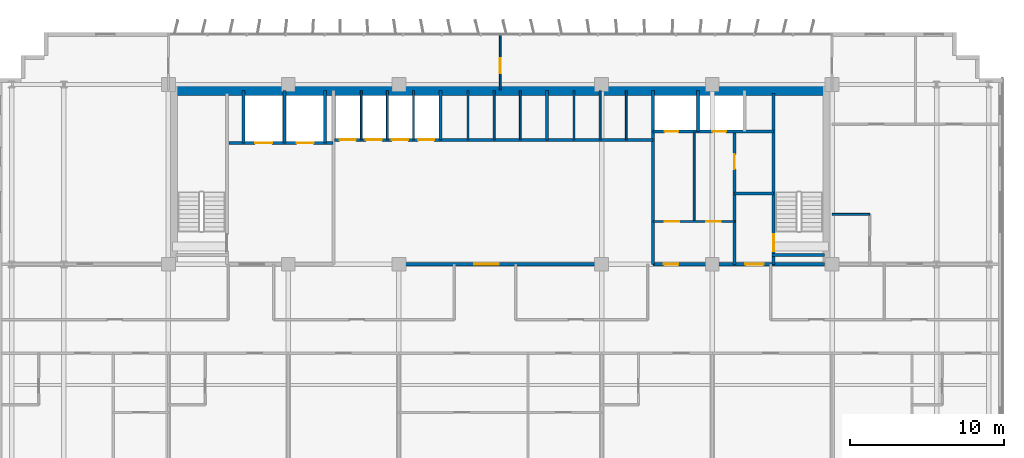
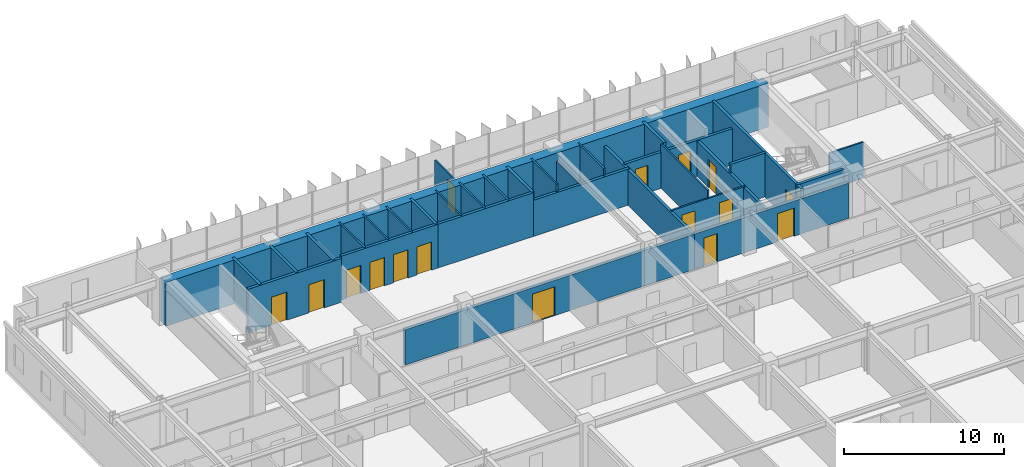
# One storey, part 18 of 22: 32 walls, 16 doors, 16 openings.
"""IFC4 building model written with IfcOpenShell, lengths in metres."""

from ifc_helpers import new_model, si_unit, direction, frame, frame_2d, origin, place, context, subcontext, project, spatial, rectangle, extrude, source, transform, mapped, material, layer, layer_set, type_object, element, fill, save


model = new_model("IFC4")

# Units and contexts
model_context = context("Model", 3, precision=1e-05, world=origin(), true_north=direction((0.0, 1.0)))
body_context = subcontext(model_context, "Body", "Model", "MODEL_VIEW")
ifc_project = project(units=[si_unit("LENGTHUNIT", "METRE"), si_unit("AREAUNIT", "SQUARE_METRE"), si_unit("VOLUMEUNIT", "CUBIC_METRE"), si_unit("PLANEANGLEUNIT", "RADIAN"), si_unit("MASSUNIT", "GRAM", prefix="KILO")], contexts=[model_context])

# Site, building, storey
site_placement = place(None, origin())
site = spatial("IfcSite", under=ifc_project, at=site_placement, CompositionType="ELEMENT")
building_placement = place(site_placement, origin())
building = spatial("IfcBuilding", under=site, at=building_placement, Name="Trelvane Seafront Commons", CompositionType="ELEMENT")
storey_placement = place(building_placement, frame((0.0, 0.0, 48.699951171875)))
storey = spatial("IfcBuildingStorey", under=building, at=storey_placement, Name="L12", CompositionType="ELEMENT", Elevation=48.699951171875)

# Wall, opening, door
ifc_material_1 = material(Name="Concrete C40/50", Category="concrete")
ifc_layer_1 = layer(ifc_material_1, 0.199951171875, Name="ARCH-WALL-FIRE200")
ifc_layer_set_1 = layer_set([ifc_layer_1], Name="Concrete C40/50")
wall_type_1 = type_object("IfcWallType", Name="ARCH-WALL-FIRE200", PredefinedType="PARTITIONING", material=ifc_layer_set_1)
wall_1_placement = place(storey_placement, frame((52.449951171875, 33.39990234375, 0.0), z_axis=(0.0, 0.0, 1.0), x_axis=(0.0, 1.0, 0.0)))
wall_1 = element("IfcWall", 1, at=wall_1_placement, inside=storey, type_object=wall_type_1, Name="W-L12-ST2V-W-033", PredefinedType="PARTITIONING", context=body_context, shape_type="SweptSolid", body=[
    extrude(rectangle(XDim=8.650146484375, YDim=0.199951171875, at=frame_2d((4.3251953125, 0.0))), origin(), (0.0, 0.0, 1.0), 2.68994140625),
])
opening_1_placement = place(wall_1_placement, frame((6.199951171875, 0.0, 0.0)))
opening_1 = element("IfcOpeningElement", 2, at=opening_1_placement, cuts=wall_1, Name="Opening FD-L12-13", PredefinedType="OPENING", context=body_context, shape_type="SweptSolid", body=[
    extrude(rectangle(XDim=0.949951171875, YDim=2.14990234375, at=frame_2d((0.47509765625, 1.074951171875))), frame((0.0, 0.10986328125, 0.0), z_axis=(0.0, -1.0, 0.0), x_axis=(1.0, 0.0, 0.0)), (0.0, 0.0, 1.0), 0.219970703125),
])
ifc_material_2 = material(Name="Powder-coated aluminium frame", Category="aluminium")
door_type_1 = type_object("IfcDoorType", Name="ARCH-DR-FD60-950", OperationType="NOTDEFINED", PredefinedType="DOOR", material=ifc_material_2)
shared_shape_1 = source(origin(), body_context, "Body", "SweptSolid", [
    extrude(rectangle(XDim=0.949951171875, YDim=2.14990234375, at=frame_2d((0.47509765625, 1.074951171875))), frame((0.0, 0.02490234375, 0.0), z_axis=(0.0, -1.0, 0.0), x_axis=(1.0, 0.0, 0.0)), (0.0, 0.0, 1.0), 0.050048828125),
])
door_1_placement = place(opening_1_placement, origin())
door_1 = element("IfcDoor", 3, at=door_1_placement, inside=storey, type_object=door_type_1, Name="L12 Cleaner Store Door", OperationType="SINGLE_SWING_LEFT", OverallHeight=2.14990234375, OverallWidth=0.949951171875, PredefinedType="DOOR", context=body_context, shape_type="MappedRepresentation", body=[
    mapped(shared_shape_1, transform((0.0, 0.0, 0.0), x_axis=(1.0, 0.0, 0.0), y_axis=(0.0, 1.0, 0.0), z_axis=(0.0, 0.0, 1.0), scale=1.0)),
])
fill(opening_1, door_1)

# Wall
wall_2_placement = place(storey_placement, frame((52.449951171875, 38.0, 0.0), z_axis=(0.0, 0.0, 1.0), x_axis=(1.0, 0.0, 0.0)))
element("IfcWall", 4, at=wall_2_placement, inside=storey, type_object=wall_type_1, Name="W-L12-ST2V-N-034", PredefinedType="PARTITIONING", context=body_context, shape_type="SweptSolid", body=[
    extrude(rectangle(XDim=2.550048828125, YDim=0.199951171875, at=frame_2d((1.27490234375, 0.0))), origin(), (0.0, 0.0, 1.0), 3.340087890625),
])

# Wall, opening, door
ifc_layer_2 = layer(ifc_material_1, 0.25, Name="ARCH-WALL-FIRE250")
ifc_layer_set_2 = layer_set([ifc_layer_2], Name="Concrete C40/50")
wall_type_2 = type_object("IfcWallType", Name="ARCH-WALL-FIRE250", PredefinedType="PARTITIONING", material=ifc_layer_set_2)
wall_3_placement = place(storey_placement, frame((26.300048828125, 33.39990234375, 0.0), z_axis=(0.0, 0.0, 1.0), x_axis=(1.0, 0.0, 0.0)))
wall_3 = element("IfcWall", 5, at=wall_3_placement, inside=storey, type_object=wall_type_2, Name="W-L12-CS-PAX-029", PredefinedType="PARTITIONING", context=body_context, shape_type="SweptSolid", body=[
    extrude(rectangle(XDim=20.849853515625, YDim=0.25, at=frame_2d((10.4248046875, 0.0))), origin(), (0.0, 0.0, 1.0), 2.68994140625),
])
opening_2_placement = place(wall_3_placement, frame((9.199951171875, 0.0, 0.0)))
opening_2 = element("IfcOpeningElement", 6, at=opening_2_placement, cuts=wall_3, Name="Opening FD-L12-10", PredefinedType="OPENING", context=body_context, shape_type="SweptSolid", body=[
    extrude(rectangle(XDim=1.60009765625, YDim=2.199951171875, at=frame_2d((0.800048828125, 1.10009765625))), frame((0.0, 0.135009765625, 0.0), z_axis=(0.0, -1.0, 0.0), x_axis=(1.0, 0.0, 0.0)), (0.0, 0.0, 1.0), 0.27001953125),
])
door_type_2 = type_object("IfcDoorType", Name="ARCH-DR-FD60-1600", OperationType="DOUBLE_DOOR_SINGLE_SWING", PredefinedType="DOOR", material=ifc_material_2)
shared_shape_2 = source(origin(), body_context, "Body", "SweptSolid", [
    extrude(rectangle(XDim=1.60009765625, YDim=2.199951171875, at=frame_2d((0.800048828125, 1.10009765625))), frame((0.0, 0.02490234375, 0.0), z_axis=(0.0, -1.0, 0.0), x_axis=(1.0, 0.0, 0.0)), (0.0, 0.0, 1.0), 0.050048828125),
])
door_2_placement = place(opening_2_placement, origin())
door_2 = element("IfcDoor", 7, at=door_2_placement, inside=storey, type_object=door_type_2, Name="L12 Passenger Lift Lobby Double Door", OperationType="DOUBLE_DOOR_SINGLE_SWING", OverallHeight=2.199951171875, OverallWidth=1.60009765625, PredefinedType="DOOR", context=body_context, shape_type="MappedRepresentation", body=[
    mapped(shared_shape_2, transform((0.0, 0.0, 0.0), x_axis=(1.0, 0.0, 0.0), y_axis=(0.0, 1.0, 0.0), z_axis=(0.0, 0.0, 1.0), scale=1.0)),
])
fill(opening_2, door_2)

# Wall, openings, doors
wall_4_placement = place(storey_placement, frame((47.14990234375, 33.39990234375, 0.0), z_axis=(0.0, 0.0, 1.0), x_axis=(1.0, 0.0, 0.0)))
wall_4 = element("IfcWall", 8, at=wall_4_placement, inside=storey, type_object=wall_type_2, Name="W-L12-CS-EAST-037", PredefinedType="PARTITIONING", context=body_context, shape_type="SweptSolid", body=[
    extrude(rectangle(XDim=11.150146484375, YDim=0.25, at=frame_2d((5.5751953125, 0.0))), origin(), (0.0, 0.0, 1.0), 2.68994140625),
])
opening_3_placement = place(wall_4_placement, frame((0.699951171875, 0.0, 0.0)))
opening_3 = element("IfcOpeningElement", 9, at=opening_3_placement, cuts=wall_4, Name="Opening FD-L12-16", PredefinedType="OPENING", context=body_context, shape_type="SweptSolid", body=[
    extrude(rectangle(XDim=0.949951171875, YDim=2.14990234375, at=frame_2d((0.47509765625, 1.074951171875))), frame((0.0, 0.135009765625, 0.0), z_axis=(0.0, -1.0, 0.0), x_axis=(1.0, 0.0, 0.0)), (0.0, 0.0, 1.0), 0.27001953125),
])
opening_4_placement = place(wall_4_placement, frame((6.0, 0.0, 0.0)))
opening_4 = element("IfcOpeningElement", 10, at=opening_4_placement, cuts=wall_4, Name="Opening FD-L12-17", PredefinedType="OPENING", context=body_context, shape_type="SweptSolid", body=[
    extrude(rectangle(XDim=1.199951171875, YDim=2.14990234375, at=frame_2d((0.60009765625, 1.074951171875))), frame((0.0, 0.135009765625, 0.0), z_axis=(0.0, -1.0, 0.0), x_axis=(1.0, 0.0, 0.0)), (0.0, 0.0, 1.0), 0.27001953125),
])
door_3_placement = place(opening_3_placement, origin())
door_3 = element("IfcDoor", 11, at=door_3_placement, inside=storey, type_object=door_type_1, Name="L12 Core Service Lobby Door", OperationType="SINGLE_SWING_RIGHT", OverallHeight=2.14990234375, OverallWidth=0.949951171875, PredefinedType="DOOR", context=body_context, shape_type="MappedRepresentation", body=[
    mapped(shared_shape_1, transform((0.0, 0.0, 0.0), x_axis=(1.0, 0.0, 0.0), y_axis=(0.0, 1.0, 0.0), z_axis=(0.0, 0.0, 1.0), scale=1.0)),
])
fill(opening_3, door_3)
door_type_3 = type_object("IfcDoorType", Name="ARCH-DR-FD60-1200", OperationType="NOTDEFINED", PredefinedType="DOOR", material=ifc_material_2)
shared_shape_3 = source(origin(), body_context, "Body", "SweptSolid", [
    extrude(rectangle(XDim=1.199951171875, YDim=2.14990234375, at=frame_2d((0.60009765625, 1.074951171875))), frame((0.0, 0.02490234375, 0.0), z_axis=(0.0, -1.0, 0.0), x_axis=(1.0, 0.0, 0.0)), (0.0, 0.0, 1.0), 0.050048828125),
])
door_4_placement = place(opening_4_placement, origin())
door_4 = element("IfcDoor", 12, at=door_4_placement, inside=storey, type_object=door_type_3, Name="L12 East Stair Vestibule Fire Door", OperationType="SINGLE_SWING_LEFT", OverallHeight=2.14990234375, OverallWidth=1.199951171875, PredefinedType="DOOR", context=body_context, shape_type="MappedRepresentation", body=[
    mapped(shared_shape_3, transform((0.0, 0.0, 0.0), x_axis=(1.0, 0.0, 0.0), y_axis=(0.0, 1.0, 0.0), z_axis=(0.0, 0.0, 1.0), scale=1.0)),
])
fill(opening_4, door_4)

# Walls
ifc_material_3 = material(Name="Gypsum Drywall Acoustic Partition")
ifc_layer_3 = layer(ifc_material_3, 0.1201171875, Name="ARCH-WALL-PART120")
ifc_layer_set_3 = layer_set([ifc_layer_3], Name="Gypsum Drywall Acoustic Partition")
wall_type_3 = type_object("IfcWallType", Name="ARCH-WALL-PART120", PredefinedType="PARTITIONING", material=ifc_layer_set_3)
for number, where, z_axis, x_axis, name in (
    (13, (28.14990234375, 41.5, 0.0), (0.0, 0.0, 1.0), (0.0, 1.0, 0.0), "W-L12-PL-DIV1-016"),
    (14, (29.85009765625, 41.5, 0.0), (0.0, 0.0, 1.0), (0.0, 1.0, 0.0), "W-L12-PL-DIV2-017"),
    (15, (31.550048828125, 41.5, 0.0), (0.0, 0.0, 1.0), (0.0, 1.0, 0.0), "W-L12-PL-DIV3-018"),
    (16, (35.10009765625, 41.5, 0.0), (0.0, 0.0, 1.0), (0.0, 1.0, 0.0), "W-L12-PM-DIV1-020"),
    (17, (36.800048828125, 41.5, 0.0), (0.0, 0.0, 1.0), (0.0, 1.0, 0.0), "W-L12-PM-DIV2-021"),
    (18, (38.5, 41.5, 0.0), (0.0, 0.0, 1.0), (0.0, 1.0, 0.0), "W-L12-PM-DIV3-022"),
    (19, (42.0, 41.5, 0.0), (0.0, 0.0, 1.0), (0.0, 1.0, 0.0), "W-L12-PH-DIV1-025"),
):
    element("IfcWall", number, at=place(storey_placement, frame(where, z_axis=z_axis, x_axis=x_axis)), inside=storey, type_object=wall_type_3, Name=name, PredefinedType="PARTITIONING", context=body_context, shape_type="SweptSolid", body=[
        extrude(rectangle(XDim=3.199951171875, YDim=0.1201171875, at=frame_2d((1.60009765625, 0.0))), origin(), (0.0, 0.0, 1.0), 3.340087890625),
    ])
wall_5_placement = place(storey_placement, frame((43.699951171875, 41.5, 0.0), z_axis=(0.0, 0.0, 1.0), x_axis=(0.0, 1.0, 0.0)))
element("IfcWall", 20, at=wall_5_placement, inside=storey, type_object=wall_type_3, Name="W-L12-PH-DIV2-026", PredefinedType="PARTITIONING", context=body_context, shape_type="SweptSolid", body=[
    extrude(rectangle(XDim=3.199951171875, YDim=0.1201171875, at=frame_2d((1.60009765625, 0.0))), origin(), (0.0, 0.0, 1.0), 2.751953125),
])
wall_6_placement = place(storey_placement, frame((45.39990234375, 41.5, 0.0), z_axis=(0.0, 0.0, 1.0), x_axis=(0.0, 1.0, 0.0)))
element("IfcWall", 21, at=wall_6_placement, inside=storey, type_object=wall_type_3, Name="W-L12-PH-DIV3-027", PredefinedType="PARTITIONING", context=body_context, shape_type="SweptSolid", body=[
    extrude(rectangle(XDim=3.199951171875, YDim=0.1201171875, at=frame_2d((1.60009765625, 0.0))), origin(), (0.0, 0.0, 1.0), 3.340087890625),
])

# Wall, openings, doors
wall_7_placement = place(storey_placement, frame((47.14990234375, 36.179931640625, 0.0), z_axis=(0.0, 0.0, 1.0), x_axis=(1.0, 0.0, 0.0)))
wall_7 = element("IfcWall", 22, at=wall_7_placement, inside=storey, type_object=wall_type_3, Name="W-L12-CYC1-H-035", PredefinedType="PARTITIONING", context=body_context, shape_type="SweptSolid", body=[
    extrude(rectangle(XDim=5.300048828125, YDim=0.1201171875, at=frame_2d((2.64990234375, 0.0))), origin(), (0.0, 0.0, 1.0), 2.751953125),
])
opening_5_placement = place(wall_7_placement, frame((0.75, 0.0, 0.0)))
opening_5 = element("IfcOpeningElement", 23, at=opening_5_placement, cuts=wall_7, Name="Opening D-L12-14", PredefinedType="OPENING", context=body_context, shape_type="SweptSolid", body=[
    extrude(rectangle(XDim=0.949951171875, YDim=2.14990234375, at=frame_2d((0.47509765625, 1.074951171875))), frame((0.0, 0.070068359375, 0.0), z_axis=(0.0, -1.0, 0.0), x_axis=(1.0, 0.0, 0.0)), (0.0, 0.0, 1.0), 0.14013671875),
])
opening_6_placement = place(wall_7_placement, frame((3.449951171875, 0.0, 0.0)))
opening_6 = element("IfcOpeningElement", 24, at=opening_6_placement, cuts=wall_7, Name="Opening D-L12-15", PredefinedType="OPENING", context=body_context, shape_type="SweptSolid", body=[
    extrude(rectangle(XDim=0.949951171875, YDim=2.14990234375, at=frame_2d((0.47509765625, 1.074951171875))), frame((0.0, 0.070068359375, 0.0), z_axis=(0.0, -1.0, 0.0), x_axis=(1.0, 0.0, 0.0)), (0.0, 0.0, 1.0), 0.14013671875),
])
ifc_material_4 = material(Name="Acoustic timber door leaf", Category="wood")
door_type_4 = type_object("IfcDoorType", Name="ARCH-DR-INT950", OperationType="NOTDEFINED", PredefinedType="DOOR", material=ifc_material_4)
door_5_placement = place(opening_5_placement, origin())
door_5 = element("IfcDoor", 25, at=door_5_placement, inside=storey, type_object=door_type_4, Name="L12 Accessible WC Door", OperationType="SINGLE_SWING_RIGHT", OverallHeight=2.14990234375, OverallWidth=0.949951171875, PredefinedType="DOOR", context=body_context, shape_type="MappedRepresentation", body=[
    mapped(shared_shape_1, transform((0.0, 0.0, 0.0), x_axis=(1.0, 0.0, 0.0), y_axis=(0.0, 1.0, 0.0), z_axis=(0.0, 0.0, 1.0), scale=1.0)),
])
fill(opening_5, door_5)
door_6_placement = place(opening_6_placement, origin())
door_6 = element("IfcDoor", 26, at=door_6_placement, inside=storey, type_object=door_type_4, Name="L12 BMS Room Door", OperationType="SINGLE_SWING_LEFT", OverallHeight=2.14990234375, OverallWidth=0.949951171875, PredefinedType="DOOR", context=body_context, shape_type="MappedRepresentation", body=[
    mapped(shared_shape_1, transform((0.0, 0.0, 0.0), x_axis=(1.0, 0.0, 0.0), y_axis=(0.0, 1.0, 0.0), z_axis=(0.0, 0.0, 1.0), scale=1.0)),
])
fill(opening_6, door_6)

# Walls
wall_8_placement = place(storey_placement, frame((49.820068359375, 36.179931640625, 0.0), z_axis=(0.0, 0.0, 1.0), x_axis=(0.0, 1.0, 0.0)))
element("IfcWall", 27, at=wall_8_placement, inside=storey, type_object=wall_type_3, Name="W-L12-CYC1-V-036", PredefinedType="PARTITIONING", context=body_context, shape_type="SweptSolid", body=[
    extrude(rectangle(XDim=5.820068359375, YDim=0.1201171875, at=frame_2d((2.91015625, 0.0))), origin(), (0.0, 0.0, 1.0), 3.340087890625),
])
wall_9_placement = place(storey_placement, frame((58.800048828125, 36.64990234375, 0.0), z_axis=(0.0, 0.0, 1.0), x_axis=(1.0, 0.0, 0.0)))
element("IfcWall", 28, at=wall_9_placement, inside=storey, type_object=wall_type_3, Name="W-L12-NE-BN-051", PredefinedType="PARTITIONING", context=body_context, shape_type="SweptSolid", body=[
    extrude(rectangle(XDim=2.449951171875, YDim=0.1201171875, at=frame_2d((1.22509765625, 0.0))), origin(), (0.0, 0.0, 1.0), 2.751953125),
])

# Wall, opening, door
wall_10_placement = place(storey_placement, frame((37.199951171875, 44.75, 0.0), z_axis=(0.0, 0.0, 1.0), x_axis=(0.0, 1.0, 0.0)))
wall_10 = element("IfcWall", 29, at=wall_10_placement, inside=storey, type_object=wall_type_3, Name="W-L12-N-MID-DV-056", PredefinedType="PARTITIONING", context=body_context, shape_type="SweptSolid", body=[
    extrude(rectangle(XDim=3.610107421875, YDim=0.1201171875, at=frame_2d((1.80517578125, 0.0))), origin(), (0.0, 0.0, 1.0), 2.68994140625),
])
opening_7_placement = place(wall_10_placement, frame((1.10009765625, 0.0, 0.0)))
opening_7 = element("IfcOpeningElement", 30, at=opening_7_placement, cuts=wall_10, Name="Opening D-L12-28", PredefinedType="OPENING", context=body_context, shape_type="SweptSolid", body=[
    extrude(rectangle(XDim=0.949951171875, YDim=2.14990234375, at=frame_2d((0.47509765625, 1.074951171875))), frame((0.0, 0.070068359375, 0.0), z_axis=(0.0, -1.0, 0.0), x_axis=(1.0, 0.0, 0.0)), (0.0, 0.0, 1.0), 0.14013671875),
])
door_7_placement = place(opening_7_placement, origin())
door_7 = element("IfcDoor", 31, at=door_7_placement, inside=storey, type_object=door_type_4, Name="L12 Door 28", OperationType="SINGLE_SWING_RIGHT", OverallHeight=2.14990234375, OverallWidth=0.949951171875, PredefinedType="DOOR", context=body_context, shape_type="MappedRepresentation", body=[
    mapped(shared_shape_1, transform((0.0, 0.0, 0.0), x_axis=(1.0, 0.0, 0.0), y_axis=(0.0, 1.0, 0.0), z_axis=(0.0, 0.0, 1.0), scale=1.0)),
])
fill(opening_7, door_7)

# Wall, openings, doors
ifc_layer_4 = layer(ifc_material_1, 0.199951171875, Name="ARCH-WALL-SHAFT200")
ifc_layer_set_4 = layer_set([ifc_layer_4], Name="Concrete C40/50")
wall_type_4 = type_object("IfcWallType", Name="ARCH-WALL-SHAFT200", PredefinedType="SOLIDWALL", material=ifc_layer_set_4)
wall_11_placement = place(storey_placement, frame((19.550048828125, 41.300048828125, 0.0), z_axis=(0.0, 0.0, 1.0), x_axis=(1.0, 0.0, 0.0)))
wall_11 = element("IfcWall", 32, at=wall_11_placement, inside=storey, type_object=wall_type_4, Name="W-L12-FFL-FRONT-008", PredefinedType="SOLIDWALL", context=body_context, shape_type="SweptSolid", body=[
    extrude(rectangle(XDim=6.75, YDim=0.199951171875, at=frame_2d((3.375, 0.0))), origin(), (0.0, 0.0, 1.0), 3.340087890625),
])
opening_8_placement = place(wall_11_placement, frame((1.699951171875, 0.0, 0.0)))
opening_8 = element("IfcOpeningElement", 33, at=opening_8_placement, cuts=wall_11, Name="Opening LD-FF1-L12", PredefinedType="OPENING", context=body_context, shape_type="SweptSolid", body=[
    extrude(rectangle(XDim=1.10009765625, YDim=2.14990234375, at=frame_2d((0.550048828125, 1.074951171875))), frame((0.0, 0.10986328125, 0.0), z_axis=(0.0, -1.0, 0.0), x_axis=(1.0, 0.0, 0.0)), (0.0, 0.0, 1.0), 0.219970703125),
])
opening_9_placement = place(wall_11_placement, frame((4.39990234375, 0.0, 0.0)))
opening_9 = element("IfcOpeningElement", 34, at=opening_9_placement, cuts=wall_11, Name="Opening LD-FF2-L12", PredefinedType="OPENING", context=body_context, shape_type="SweptSolid", body=[
    extrude(rectangle(XDim=1.10009765625, YDim=2.14990234375, at=frame_2d((0.550048828125, 1.074951171875))), frame((0.0, 0.10986328125, 0.0), z_axis=(0.0, -1.0, 0.0), x_axis=(1.0, 0.0, 0.0)), (0.0, 0.0, 1.0), 0.219970703125),
])
ifc_material_5 = material(Name="Stainless steel balustrade", Category="steel")
door_type_5 = type_object("IfcDoorType", Name="ARCH-DR-LD1100", OperationType="DOUBLE_DOOR_SLIDING", PredefinedType="DOOR", material=ifc_material_5)
shared_shape_4 = source(origin(), body_context, "Body", "SweptSolid", [
    extrude(rectangle(XDim=1.10009765625, YDim=2.14990234375, at=frame_2d((0.550048828125, 1.074951171875))), frame((0.0, 0.02490234375, 0.0), z_axis=(0.0, -1.0, 0.0), x_axis=(1.0, 0.0, 0.0)), (0.0, 0.0, 1.0), 0.050048828125),
])
door_8_placement = place(opening_8_placement, origin())
door_8 = element("IfcDoor", 35, at=door_8_placement, inside=storey, type_object=door_type_5, Name="L12 Firefighting Lift FFL-1 Landing Door", OperationType="DOUBLE_DOOR_SLIDING", OverallHeight=2.14990234375, OverallWidth=1.10009765625, PredefinedType="DOOR", context=body_context, shape_type="MappedRepresentation", body=[
    mapped(shared_shape_4, transform((0.0, 0.0, 0.0), x_axis=(1.0, 0.0, 0.0), y_axis=(0.0, 1.0, 0.0), z_axis=(0.0, 0.0, 1.0), scale=1.0)),
])
fill(opening_8, door_8)
door_9_placement = place(opening_9_placement, origin())
door_9 = element("IfcDoor", 36, at=door_9_placement, inside=storey, type_object=door_type_5, Name="L12 Firefighting Lift FFL-2 Landing Door", OperationType="DOUBLE_DOOR_SLIDING", OverallHeight=2.14990234375, OverallWidth=1.10009765625, PredefinedType="DOOR", context=body_context, shape_type="MappedRepresentation", body=[
    mapped(shared_shape_4, transform((0.0, 0.0, 0.0), x_axis=(1.0, 0.0, 0.0), y_axis=(0.0, 1.0, 0.0), z_axis=(0.0, 0.0, 1.0), scale=1.0)),
])
fill(opening_9, door_9)

# Walls
for number, where, z_axis, x_axis, name in (
    (37, (20.5, 41.300048828125, 0.0), (0.0, 0.0, 1.0), (0.0, 1.0, 0.0), "W-L12-FFL-SH-W-009"),
    (38, (23.14990234375, 41.300048828125, 0.0), (0.0, 0.0, 1.0), (0.0, 1.0, 0.0), "W-L12-FFL-DIV-010"),
    (39, (25.800048828125, 41.300048828125, 0.0), (0.0, 0.0, 1.0), (0.0, 1.0, 0.0), "W-L12-FFL-SH-E-011"),
):
    element("IfcWall", number, at=place(storey_placement, frame(where, z_axis=z_axis, x_axis=x_axis)), inside=storey, type_object=wall_type_4, Name=name, PredefinedType="SOLIDWALL", context=body_context, shape_type="SweptSolid", body=[
        extrude(rectangle(XDim=3.39990234375, YDim=0.199951171875, at=frame_2d((1.699951171875, 0.0))), origin(), (0.0, 0.0, 1.0), 3.340087890625),
    ])

# Wall, openings, doors
wall_12_placement = place(storey_placement, frame((26.39990234375, 41.5, 0.0), z_axis=(0.0, 0.0, 1.0), x_axis=(1.0, 0.0, 0.0)))
wall_12 = element("IfcWall", 40, at=wall_12_placement, inside=storey, type_object=wall_type_4, Name="W-L12-PL-FRONT-014", PredefinedType="SOLIDWALL", context=body_context, shape_type="SweptSolid", body=[
    extrude(rectangle(XDim=6.9501953125, YDim=0.199951171875, at=frame_2d((3.47509765625, 0.0))), origin(), (0.0, 0.0, 1.0), 3.340087890625),
])
opening_10_placement = place(wall_12_placement, frame((0.35009765625, 0.0, 0.0)))
opening_10 = element("IfcOpeningElement", 41, at=opening_10_placement, cuts=wall_12, Name="Opening LD-PL1-L12", PredefinedType="OPENING", context=body_context, shape_type="SweptSolid", body=[
    extrude(rectangle(XDim=1.050048828125, YDim=2.14990234375, at=frame_2d((0.52490234375, 1.074951171875))), frame((0.0, 0.10986328125, 0.0), z_axis=(0.0, -1.0, 0.0), x_axis=(1.0, 0.0, 0.0)), (0.0, 0.0, 1.0), 0.219970703125),
])
opening_11_placement = place(wall_12_placement, frame((2.050048828125, 0.0, 0.0)))
opening_11 = element("IfcOpeningElement", 42, at=opening_11_placement, cuts=wall_12, Name="Opening LD-PL2-L12", PredefinedType="OPENING", context=body_context, shape_type="SweptSolid", body=[
    extrude(rectangle(XDim=1.050048828125, YDim=2.14990234375, at=frame_2d((0.52490234375, 1.074951171875))), frame((0.0, 0.10986328125, 0.0), z_axis=(0.0, -1.0, 0.0), x_axis=(1.0, 0.0, 0.0)), (0.0, 0.0, 1.0), 0.219970703125),
])
opening_12_placement = place(wall_12_placement, frame((3.75, 0.0, 0.0)))
opening_12 = element("IfcOpeningElement", 43, at=opening_12_placement, cuts=wall_12, Name="Opening LD-PL3-L12", PredefinedType="OPENING", context=body_context, shape_type="SweptSolid", body=[
    extrude(rectangle(XDim=1.050048828125, YDim=2.14990234375, at=frame_2d((0.52490234375, 1.074951171875))), frame((0.0, 0.10986328125, 0.0), z_axis=(0.0, -1.0, 0.0), x_axis=(1.0, 0.0, 0.0)), (0.0, 0.0, 1.0), 0.219970703125),
])
opening_13_placement = place(wall_12_placement, frame((5.449951171875, 0.0, 0.0)))
opening_13 = element("IfcOpeningElement", 44, at=opening_13_placement, cuts=wall_12, Name="Opening LD-PL4-L12", PredefinedType="OPENING", context=body_context, shape_type="SweptSolid", body=[
    extrude(rectangle(XDim=1.050048828125, YDim=2.14990234375, at=frame_2d((0.52490234375, 1.074951171875))), frame((0.0, 0.10986328125, 0.0), z_axis=(0.0, -1.0, 0.0), x_axis=(1.0, 0.0, 0.0)), (0.0, 0.0, 1.0), 0.219970703125),
])
door_type_6 = type_object("IfcDoorType", Name="ARCH-DR-LD1050", OperationType="DOUBLE_DOOR_SLIDING", PredefinedType="DOOR", material=ifc_material_5)
shared_shape_5 = source(origin(), body_context, "Body", "SweptSolid", [
    extrude(rectangle(XDim=1.050048828125, YDim=2.14990234375, at=frame_2d((0.52490234375, 1.074951171875))), frame((0.0, 0.02490234375, 0.0), z_axis=(0.0, -1.0, 0.0), x_axis=(1.0, 0.0, 0.0)), (0.0, 0.0, 1.0), 0.050048828125),
])
door_10_placement = place(opening_10_placement, origin())
door_10 = element("IfcDoor", 45, at=door_10_placement, inside=storey, type_object=door_type_6, Name="L12 Passenger Lift PL-1 Landing Door", OperationType="DOUBLE_DOOR_SLIDING", OverallHeight=2.14990234375, OverallWidth=1.050048828125, PredefinedType="DOOR", context=body_context, shape_type="MappedRepresentation", body=[
    mapped(shared_shape_5, transform((0.0, 0.0, 0.0), x_axis=(1.0, 0.0, 0.0), y_axis=(0.0, 1.0, 0.0), z_axis=(0.0, 0.0, 1.0), scale=1.0)),
])
fill(opening_10, door_10)
door_11_placement = place(opening_11_placement, origin())
door_11 = element("IfcDoor", 46, at=door_11_placement, inside=storey, type_object=door_type_6, Name="L12 Passenger Lift PL-2 Landing Door", OperationType="DOUBLE_DOOR_SLIDING", OverallHeight=2.14990234375, OverallWidth=1.050048828125, PredefinedType="DOOR", context=body_context, shape_type="MappedRepresentation", body=[
    mapped(shared_shape_5, transform((0.0, 0.0, 0.0), x_axis=(1.0, 0.0, 0.0), y_axis=(0.0, 1.0, 0.0), z_axis=(0.0, 0.0, 1.0), scale=1.0)),
])
fill(opening_11, door_11)
door_12_placement = place(opening_12_placement, origin())
door_12 = element("IfcDoor", 47, at=door_12_placement, inside=storey, type_object=door_type_6, Name="L12 Passenger Lift PL-3 Landing Door", OperationType="DOUBLE_DOOR_SLIDING", OverallHeight=2.14990234375, OverallWidth=1.050048828125, PredefinedType="DOOR", context=body_context, shape_type="MappedRepresentation", body=[
    mapped(shared_shape_5, transform((0.0, 0.0, 0.0), x_axis=(1.0, 0.0, 0.0), y_axis=(0.0, 1.0, 0.0), z_axis=(0.0, 0.0, 1.0), scale=1.0)),
])
fill(opening_12, door_12)
door_13_placement = place(opening_13_placement, origin())
door_13 = element("IfcDoor", 48, at=door_13_placement, inside=storey, type_object=door_type_6, Name="L12 Passenger Lift PL-4 Landing Door", OperationType="DOUBLE_DOOR_SLIDING", OverallHeight=2.14990234375, OverallWidth=1.050048828125, PredefinedType="DOOR", context=body_context, shape_type="MappedRepresentation", body=[
    mapped(shared_shape_5, transform((0.0, 0.0, 0.0), x_axis=(1.0, 0.0, 0.0), y_axis=(0.0, 1.0, 0.0), z_axis=(0.0, 0.0, 1.0), scale=1.0)),
])
fill(opening_13, door_13)

# Walls
wall_13_placement = place(storey_placement, frame((33.300048828125, 41.5, 0.0), z_axis=(0.0, 0.0, 1.0), x_axis=(0.0, 1.0, 0.0)))
element("IfcWall", 49, at=wall_13_placement, inside=storey, type_object=wall_type_4, Name="W-L12-PL-EAST-SH-015", PredefinedType="SOLIDWALL", context=body_context, shape_type="SweptSolid", body=[
    extrude(rectangle(XDim=3.199951171875, YDim=0.199951171875, at=frame_2d((1.60009765625, 0.0))), origin(), (0.0, 0.0, 1.0), 3.340087890625),
])
wall_14_placement = place(storey_placement, frame((33.35009765625, 41.5, 0.0), z_axis=(0.0, 0.0, 1.0), x_axis=(1.0, 0.0, 0.0)))
element("IfcWall", 50, at=wall_14_placement, inside=storey, type_object=wall_type_4, Name="W-L12-PM-FRONT-019", PredefinedType="SOLIDWALL", context=body_context, shape_type="SweptSolid", body=[
    extrude(rectangle(XDim=6.89990234375, YDim=0.199951171875, at=frame_2d((3.449951171875, 0.0))), origin(), (0.0, 0.0, 1.0), 3.340087890625),
])
wall_15_placement = place(storey_placement, frame((40.25, 41.5, 0.0), z_axis=(0.0, 0.0, 1.0), x_axis=(1.0, 0.0, 0.0)))
element("IfcWall", 51, at=wall_15_placement, inside=storey, type_object=wall_type_4, Name="W-L12-PH-FRONT-023", PredefinedType="SOLIDWALL", context=body_context, shape_type="SweptSolid", body=[
    extrude(rectangle(XDim=6.89990234375, YDim=0.199951171875, at=frame_2d((3.449951171875, 0.0))), origin(), (0.0, 0.0, 1.0), 2.751953125),
])
wall_16_placement = place(storey_placement, frame((40.25, 41.5, 0.0), z_axis=(0.0, 0.0, 1.0), x_axis=(0.0, 1.0, 0.0)))
element("IfcWall", 52, at=wall_16_placement, inside=storey, type_object=wall_type_4, Name="W-L12-PH-WEST-SH-024", PredefinedType="SOLIDWALL", context=body_context, shape_type="SweptSolid", body=[
    extrude(rectangle(XDim=3.199951171875, YDim=0.199951171875, at=frame_2d((1.60009765625, 0.0))), origin(), (0.0, 0.0, 1.0), 3.340087890625),
])
wall_17_placement = place(storey_placement, frame((47.14990234375, 33.39990234375, 0.0), z_axis=(0.0, 0.0, 1.0), x_axis=(0.0, 1.0, 0.0)))
element("IfcWall", 53, at=wall_17_placement, inside=storey, type_object=wall_type_4, Name="W-L12-PH-EAST-028", PredefinedType="SOLIDWALL", context=body_context, shape_type="SweptSolid", body=[
    extrude(rectangle(XDim=11.300048828125, YDim=0.199951171875, at=frame_2d((5.64990234375, 0.0))), origin(), (0.0, 0.0, 1.0), 2.68994140625),
])

# Wall, openings, doors
wall_18_placement = place(storey_placement, frame((47.14990234375, 42.050048828125, 0.0), z_axis=(0.0, 0.0, 1.0), x_axis=(1.0, 0.0, 0.0)))
wall_18 = element("IfcWall", 54, at=wall_18_placement, inside=storey, type_object=wall_type_4, Name="W-L12-RSR-S-030", PredefinedType="SOLIDWALL", context=body_context, shape_type="SweptSolid", body=[
    extrude(rectangle(XDim=7.85009765625, YDim=0.199951171875, at=frame_2d((3.925048828125, 0.0))), origin(), (0.0, 0.0, 1.0), 2.751953125),
])
opening_14_placement = place(wall_18_placement, frame((0.75, 0.0, 0.0)))
opening_14 = element("IfcOpeningElement", 55, at=opening_14_placement, cuts=wall_18, Name="Opening FD-L12-11", PredefinedType="OPENING", context=body_context, shape_type="SweptSolid", body=[
    extrude(rectangle(XDim=0.89990234375, YDim=2.10009765625, at=frame_2d((0.449951171875, 1.050048828125))), frame((0.0, 0.10986328125, 0.0), z_axis=(0.0, -1.0, 0.0), x_axis=(1.0, 0.0, 0.0)), (0.0, 0.0, 1.0), 0.219970703125),
])
opening_15_placement = place(wall_18_placement, frame((3.85009765625, 0.0, 0.0)))
opening_15 = element("IfcOpeningElement", 56, at=opening_15_placement, cuts=wall_18, Name="Opening FD-L12-12", PredefinedType="OPENING", context=body_context, shape_type="SweptSolid", body=[
    extrude(rectangle(XDim=0.89990234375, YDim=2.10009765625, at=frame_2d((0.449951171875, 1.050048828125))), frame((0.0, 0.10986328125, 0.0), z_axis=(0.0, -1.0, 0.0), x_axis=(1.0, 0.0, 0.0)), (0.0, 0.0, 1.0), 0.219970703125),
])
door_type_7 = type_object("IfcDoorType", Name="ARCH-DR-FD60-900", OperationType="NOTDEFINED", PredefinedType="DOOR", material=ifc_material_2)
shared_shape_6 = source(origin(), body_context, "Body", "SweptSolid", [
    extrude(rectangle(XDim=0.89990234375, YDim=2.10009765625, at=frame_2d((0.449951171875, 1.050048828125))), frame((0.0, 0.02490234375, 0.0), z_axis=(0.0, -1.0, 0.0), x_axis=(1.0, 0.0, 0.0)), (0.0, 0.0, 1.0), 0.050048828125),
])
door_14_placement = place(opening_14_placement, origin())
door_14 = element("IfcDoor", 57, at=door_14_placement, inside=storey, type_object=door_type_7, Name="L12 Electrical Riser Access Door", OperationType="SINGLE_SWING_LEFT", OverallHeight=2.10009765625, OverallWidth=0.89990234375, PredefinedType="DOOR", context=body_context, shape_type="MappedRepresentation", body=[
    mapped(shared_shape_6, transform((0.0, 0.0, 0.0), x_axis=(1.0, 0.0, 0.0), y_axis=(0.0, 1.0, 0.0), z_axis=(0.0, 0.0, 1.0), scale=1.0)),
])
fill(opening_14, door_14)
door_15_placement = place(opening_15_placement, origin())
door_15 = element("IfcDoor", 58, at=door_15_placement, inside=storey, type_object=door_type_7, Name="L12 Mechanical Riser Access Door", OperationType="SINGLE_SWING_RIGHT", OverallHeight=2.10009765625, OverallWidth=0.89990234375, PredefinedType="DOOR", context=body_context, shape_type="MappedRepresentation", body=[
    mapped(shared_shape_6, transform((0.0, 0.0, 0.0), x_axis=(1.0, 0.0, 0.0), y_axis=(0.0, 1.0, 0.0), z_axis=(0.0, 0.0, 1.0), scale=1.0)),
])
fill(opening_15, door_15)

# Walls
wall_19_placement = place(storey_placement, frame((50.080078125, 42.050048828125, 0.0), z_axis=(0.0, 0.0, 1.0), x_axis=(0.0, 1.0, 0.0)))
element("IfcWall", 59, at=wall_19_placement, inside=storey, type_object=wall_type_4, Name="W-L12-RSR-DIV-031", PredefinedType="SOLIDWALL", context=body_context, shape_type="SweptSolid", body=[
    extrude(rectangle(XDim=2.64990234375, YDim=0.199951171875, at=frame_2d((1.324951171875, 0.0))), origin(), (0.0, 0.0, 1.0), 3.340087890625),
])
ifc_material_6 = material(Name="Concrete C60/75", Category="concrete")
ifc_layer_5 = layer(ifc_material_6, 0.699951171875, Name="STR-WALL-CORE700")
ifc_layer_set_5 = layer_set([ifc_layer_5], Name="Concrete C60/75")
wall_type_5 = type_object("IfcWallType", Name="STR-WALL-CORE700", PredefinedType="SHEAR", material=ifc_layer_set_5)
wall_20_placement = place(storey_placement, frame((15.5, 44.75, 0.0), z_axis=(0.0, 0.0, 1.0), x_axis=(1.0, 0.0, 0.0)))
element("IfcWall", 60, at=wall_20_placement, inside=storey, type_object=wall_type_5, Name="W-L12-CN-ALL-001", PredefinedType="SHEAR", context=body_context, shape_type="SweptSolid", body=[
    extrude(rectangle(XDim=43.39990234375, YDim=0.699951171875, at=frame_2d((21.699951171875, 0.0))), origin(), (0.0, 0.0, 1.0), 3.340087890625),
])
ifc_material_7 = material(Name="Concrete C50/60", Category="concrete")
ifc_layer_6 = layer(ifc_material_7, 0.199951171875, Name="STR-WALL-STAIR200")
ifc_layer_set_6 = layer_set([ifc_layer_6], Name="Concrete C50/60")
wall_type_6 = type_object("IfcWallType", Name="STR-WALL-STAIR200", PredefinedType="SHEAR", material=ifc_layer_set_6)
wall_21_placement = place(storey_placement, frame((54.89990234375, 34.0, 0.0), z_axis=(0.0, 0.0, 1.0), x_axis=(1.0, 0.0, 0.0)))
element("IfcWall", 61, at=wall_21_placement, inside=storey, type_object=wall_type_6, Name="W-L12-ST2-S-006", PredefinedType="SHEAR", context=body_context, shape_type="SweptSolid", body=[
    extrude(rectangle(XDim=3.400146484375, YDim=0.199951171875, at=frame_2d((1.7001953125, 0.0))), origin(), (0.0, 0.0, 1.0), 3.340087890625),
])

# Wall, opening, door
wall_22_placement = place(storey_placement, frame((55.0, 33.39990234375, 0.0), z_axis=(0.0, 0.0, 1.0), x_axis=(0.0, 1.0, 0.0)))
wall_22 = element("IfcWall", 62, at=wall_22_placement, inside=storey, type_object=wall_type_6, Name="W-L12-ST2-W-007", PredefinedType="SHEAR", context=body_context, shape_type="SweptSolid", body=[
    extrude(rectangle(XDim=11.10009765625, YDim=0.199951171875, at=frame_2d((5.550048828125, 0.0))), origin(), (0.0, 0.0, 1.0), 3.340087890625),
])
opening_16_placement = place(wall_22_placement, frame((0.85009765625, 0.0, 0.0)))
opening_16 = element("IfcOpeningElement", 63, at=opening_16_placement, cuts=wall_22, Name="Opening ST-D2-L12", PredefinedType="OPENING", context=body_context, shape_type="SweptSolid", body=[
    extrude(rectangle(XDim=1.10009765625, YDim=2.14990234375, at=frame_2d((0.550048828125, 1.074951171875))), frame((0.0, 0.10986328125, 0.0), z_axis=(0.0, -1.0, 0.0), x_axis=(1.0, 0.0, 0.0)), (0.0, 0.0, 1.0), 0.219970703125),
])
door_type_8 = type_object("IfcDoorType", Name="ARCH-DR-FD90-1100", OperationType="NOTDEFINED", PredefinedType="DOOR", material=ifc_material_2)
door_16_placement = place(opening_16_placement, origin())
door_16 = element("IfcDoor", 64, at=door_16_placement, inside=storey, type_object=door_type_8, Name="L12 Stair ST-2 Vestibule Fire Door", OperationType="SINGLE_SWING_RIGHT", OverallHeight=2.14990234375, OverallWidth=1.10009765625, PredefinedType="DOOR", context=body_context, shape_type="MappedRepresentation", body=[
    mapped(shared_shape_4, transform((0.0, 0.0, 0.0), x_axis=(1.0, 0.0, 0.0), y_axis=(0.0, 1.0, 0.0), z_axis=(0.0, 0.0, 1.0), scale=1.0)),
])
fill(opening_16, door_16)

save(model, "model.ifc")
